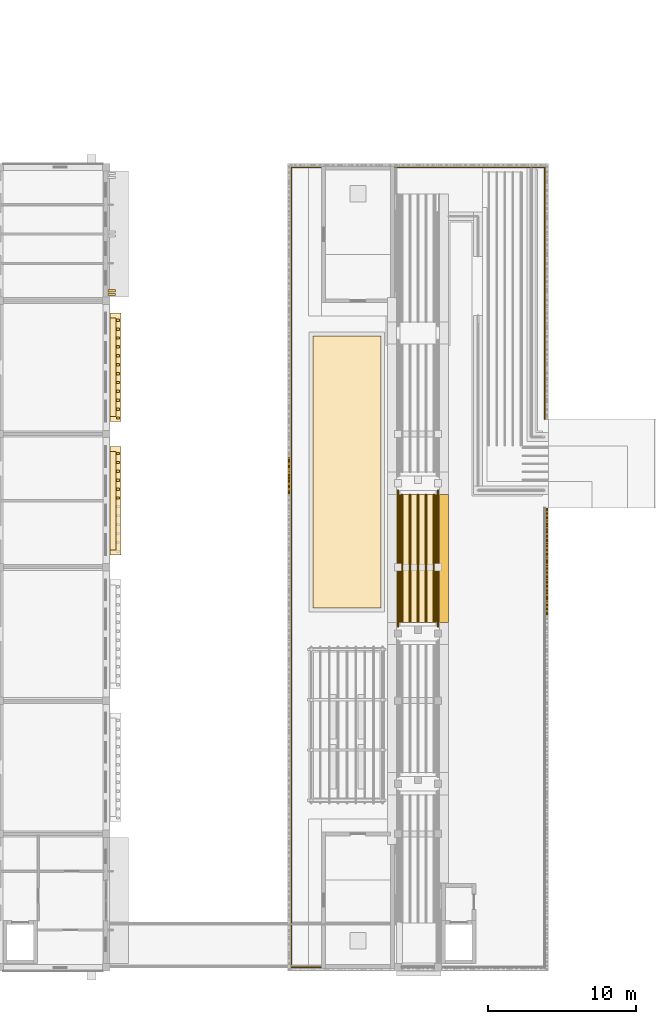
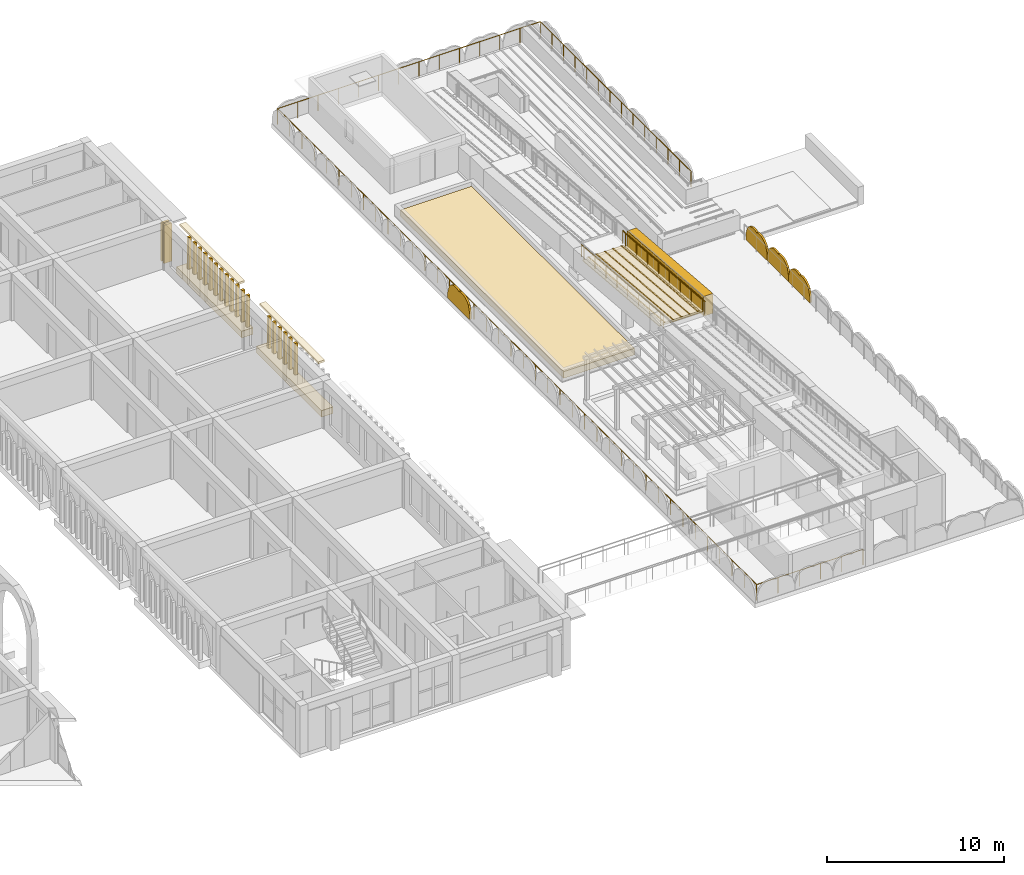
# One storey, part 66 of 70: 33 coverings, 4 shading devices, 3 railings.
"""IFC4 building model written with IfcOpenShell, lengths in metres."""

import ifcopenshell
import ifcopenshell.guid

model = None  # the IFC model being written
_history = None  # IfcOwnerHistory: only IFC2X3 demands one
_inside = {}  # id of a spatial element -> (the spatial element, [elements in it])
_under = {}  # id of a project, library or spatial element -> (it, [spatial elements below it])
_declared = {}  # id of a project -> (the project, [libraries it declares])
_typed = {}  # id of a type object -> (the type object, [elements of that type])
_made_of = {}  # id of a material, layer set ... -> (it, [elements and type objects made of it])


def new_model(schema):
    """Start an empty IFC model of exactly this schema.

    Asked for "IFC4X3", IfcOpenShell would pick the latest addendum, in which some entities
    have other attributes; the version numbers below select the first issue.
    IFC2X3 requires an IfcOwnerHistory on every rooted entity: one is made here for all.
    """
    global model, _history
    if schema == "IFC4X3":
        model = ifcopenshell.file(schema_version=(4, 3, 0, 0))
    else:
        model = ifcopenshell.file(schema=schema)
    _inside.clear()
    _under.clear()
    _declared.clear()
    _typed.clear()
    _made_of.clear()
    _history = None
    if model.schema == "IFC2X3":
        org = make("IfcOrganization", Name="unknown")
        user = make(
            "IfcPersonAndOrganization",
            ThePerson=make("IfcPerson", FamilyName="unknown"),
            TheOrganization=org,
        )
        app = make(
            "IfcApplication",
            ApplicationDeveloper=org,
            Version="unknown",
            ApplicationFullName="unknown",
            ApplicationIdentifier="unknown",
        )
        _history = make(
            "IfcOwnerHistory",
            OwningUser=user,
            OwningApplication=app,
            ChangeAction="ADDED",
            CreationDate=0,
        )
    return model


def make(cls, **values):
    """One entity of the class cls with the attributes given. An attribute that is None is left unset."""
    return model.create_entity(
        cls, **{name: value for name, value in values.items() if value is not None}
    )


def rooted(cls, **values):
    """An entity with a GlobalId (a new one), such as an element, a storey or a relation."""
    return make(cls, GlobalId=ifcopenshell.guid.new(), OwnerHistory=_history, **values)


def si_unit(unit_type, name, prefix=None):
    """IfcSIUnit, for example si_unit("LENGTHUNIT", "METRE", prefix="MILLI")."""
    return make("IfcSIUnit", UnitType=unit_type, Prefix=prefix, Name=name)


def assignment(units):
    """IfcUnitAssignment: the units of a project."""
    return None if units is None else make("IfcUnitAssignment", Units=units)


def point(xyz):
    """IfcCartesianPoint."""
    return None if xyz is None else make("IfcCartesianPoint", Coordinates=xyz)


def direction(xyz):
    """IfcDirection."""
    return None if xyz is None else make("IfcDirection", DirectionRatios=xyz)


def frame(location, z_axis=None, x_axis=None):
    """IfcAxis2Placement3D, a coordinate frame: its origin and axes. An axis left out is left unset."""
    return make(
        "IfcAxis2Placement3D",
        Location=point(location),
        Axis=direction(z_axis),
        RefDirection=direction(x_axis),
    )


def frame_2d(location, x_axis=None):
    """IfcAxis2Placement2D, a coordinate frame in the plane: its origin and x axis."""
    return make(
        "IfcAxis2Placement2D", Location=point(location), RefDirection=direction(x_axis)
    )


def origin():
    """The frame at (0, 0, 0) with its axes left unset."""
    return frame((0.0, 0.0, 0.0))


def origin_2d():
    """The frame at (0, 0) in the plane with its x axis left unset."""
    return frame_2d((0.0, 0.0))


def place(relative_to, where):
    """IfcLocalPlacement: puts the frame where relative to a parent placement (None: the world)."""
    return make(
        "IfcLocalPlacement", PlacementRelTo=relative_to, RelativePlacement=where
    )


def context(
    kind, dimensions, precision=None, world=None, true_north=None, identifier=None
):
    """IfcGeometricRepresentationContext, for example the 3D "Model" context."""
    return make(
        "IfcGeometricRepresentationContext",
        ContextIdentifier=identifier,
        ContextType=kind,
        CoordinateSpaceDimension=dimensions,
        Precision=precision,
        WorldCoordinateSystem=world,
        TrueNorth=true_north,
    )


def subcontext(parent, identifier, kind, view, scale=None):
    """IfcGeometricRepresentationSubContext, for example "Body" below "Model"."""
    return make(
        "IfcGeometricRepresentationSubContext",
        ContextIdentifier=identifier,
        ContextType=kind,
        ParentContext=parent,
        TargetScale=scale,
        TargetView=view,
    )


def project(units=None, contexts=None):
    """IfcProject with its units and contexts."""
    return rooted(
        "IfcProject",
        Name="project",
        RepresentationContexts=contexts,
        UnitsInContext=assignment(units),
    )


def spatial(cls, under=None, at=None, **own):
    """A site, building, storey or space (cls), placed at a placement, below another one or the project."""
    s = rooted(cls, ObjectPlacement=at, **own)
    if under is not None:
        _under.setdefault(under.id(), (under, []))[1].append(s)
    return s


def polyline(points):
    """IfcPolyline through the points."""
    return make("IfcPolyline", Points=[point(p) for p in points])


def profile(cls, at=None, kind="AREA", **sizes):
    """A parametric profile (cls). Its sizes go by their IFC names, for example OverallWidth=200.0."""
    return make(cls, ProfileType=kind, Position=at, **sizes)


def rectangle(**sizes):
    """IfcRectangleProfileDef."""
    return profile("IfcRectangleProfileDef", **sizes)


def circle(**sizes):
    """IfcCircleProfileDef."""
    return profile("IfcCircleProfileDef", **sizes)


def outline(outer, holes=None, kind="AREA"):
    """IfcArbitraryClosedProfileDef: a profile drawn as a closed curve; with holes, ...WithVoids."""
    if holes is None:
        return make("IfcArbitraryClosedProfileDef", ProfileType=kind, OuterCurve=outer)
    return make(
        "IfcArbitraryProfileDefWithVoids",
        ProfileType=kind,
        OuterCurve=outer,
        InnerCurves=holes,
    )


def extrude(swept, where, along, depth):
    """IfcExtrudedAreaSolid: the profile swept, set in the frame where, extruded along a direction by depth."""
    return make(
        "IfcExtrudedAreaSolid",
        SweptArea=swept,
        Position=where,
        ExtrudedDirection=direction(along),
        Depth=depth,
    )


def shape(context_of_items, identifier, shape_type, items):
    """IfcShapeRepresentation: the items that make up one representation, for example the "Body"."""
    return make(
        "IfcShapeRepresentation",
        ContextOfItems=context_of_items,
        RepresentationIdentifier=identifier,
        RepresentationType=shape_type,
        Items=items,
    )


def material(Name=None, Category=None):
    """IfcMaterial."""
    return make("IfcMaterial", Name=Name, Category=Category)


def layer(
    of_material, thickness, ventilated=None, Name=None, Category=None, Priority=None
):
    """IfcMaterialLayer: one layer of a wall or slab, of a material (None: an air gap)."""
    return make(
        "IfcMaterialLayer",
        Material=of_material,
        LayerThickness=thickness,
        IsVentilated=ventilated,
        Name=Name,
        Category=Category,
        Priority=Priority,
    )


def layer_set(layers, Name=None):
    """IfcMaterialLayerSet."""
    return make("IfcMaterialLayerSet", MaterialLayers=layers, LayerSetName=Name)


def made_of(thing, what):
    """Note that an element or type object is made of a material, layer set ...; save() writes the relation."""
    if what is not None:
        _made_of.setdefault(what.id(), (what, []))[1].append(thing)
    return thing


def type_object(cls, material=None, **own):
    """A type object (cls), such as IfcWallType, which elements share."""
    return made_of(rooted(cls, **own), material)


def element(
    cls,
    number,
    at=None,
    inside=None,
    cuts=None,
    type_object=None,
    material=None,
    context=None,
    identifier="Body",
    shape_type=None,
    held_by="IfcProductDefinitionShape",
    body=None,
    shapes=None,
    **own,
):
    """One element of the class cls, such as IfcWall. Its Tag is "e" and its number.

    at: its placement. inside: the storey or other place that contains it. cuts: it is an
    opening in that element (IfcRelVoidsElement). A single representation is given by context,
    identifier, shape_type and body (its items); several are given by shapes. held_by: the class
    of the entity that holds the representations. save() writes the other relations.
    """
    e = rooted(cls, Tag="e%d" % number, ObjectPlacement=at, **own)
    if body is not None:
        shapes = [shape(context, identifier, shape_type, body)]
    if shapes is not None:
        e.Representation = make(held_by, Representations=shapes)
    if inside is not None:
        _inside.setdefault(inside.id(), (inside, []))[1].append(e)
    if cuts is not None:
        rooted(
            "IfcRelVoidsElement", RelatingBuildingElement=cuts, RelatedOpeningElement=e
        )
    if type_object is not None:
        _typed.setdefault(type_object.id(), (type_object, []))[1].append(e)
    return made_of(e, material)


def aggregate(whole, parts):
    """IfcRelAggregates: a whole, such as a stair, and the parts it consists of."""
    return rooted("IfcRelAggregates", RelatingObject=whole, RelatedObjects=parts)


def save(model, path):
    """Write the relations noted so far, then the file.

    IfcRelAggregates (storeys below a building ...), IfcRelContainedInSpatialStructure (elements
    in a storey), IfcRelDefinesByType, IfcRelAssociatesMaterial and IfcRelDeclares: one each for
    every whole, place, type object, material and project.
    """
    for whole, parts in _under.values():
        aggregate(whole, parts)
    for where, things in _inside.values():
        rooted(
            "IfcRelContainedInSpatialStructure",
            RelatedElements=things,
            RelatingStructure=where,
        )
    for kind, things in _typed.values():
        rooted("IfcRelDefinesByType", RelatedObjects=things, RelatingType=kind)
    for what, things in _made_of.values():
        rooted("IfcRelAssociatesMaterial", RelatedObjects=things, RelatingMaterial=what)
    for by, libraries in _declared.values():
        rooted("IfcRelDeclares", RelatingContext=by, RelatedDefinitions=libraries)
    model.write(path)


model = new_model("IFC4")

# Units and contexts
model_context = context("Model", 3, precision=1e-05, world=origin(), true_north=direction((0.0, 1.0)))
body_context = subcontext(model_context, "Body", "Model", "MODEL_VIEW")
ifc_project = project(units=[si_unit("LENGTHUNIT", "METRE"), si_unit("AREAUNIT", "SQUARE_METRE"), si_unit("VOLUMEUNIT", "CUBIC_METRE"), si_unit("PLANEANGLEUNIT", "RADIAN"), si_unit("MASSUNIT", "GRAM", prefix="KILO")], contexts=[model_context])

# Site, building, storey
site_placement = place(None, origin())
site = spatial("IfcSite", under=ifc_project, at=site_placement, CompositionType="ELEMENT")
building_placement = place(site_placement, origin())
building = spatial("IfcBuilding", under=site, at=building_placement, Name="Elbe Cascade School", CompositionType="ELEMENT")
storey_placement = place(building_placement, frame((0.0, 0.0, 8.10009765625)))
storey = spatial("IfcBuildingStorey", under=building, at=storey_placement, Name="L02", CompositionType="ELEMENT", Elevation=8.10009765625)

# Shading devices
ifc_material_1 = material(Name="Precast concrete C40/50", Category="concrete")
ifc_layer_1 = layer(ifc_material_1, 0.1201171875)
ifc_layer_set_1 = layer_set([ifc_layer_1], Name="Precast concrete C40/50")
shading_device_type = type_object("IfcShadingDeviceType", Name="Bars envelope Attic jali screen, pointed arch top, pierced precast concrete, 1200 high", PredefinedType="USERDEFINED", material=ifc_layer_set_1)
shading_device_1_placement = place(storey_placement, frame((157.580078125, 37.95458984375, 0.39990234375), z_axis=(-1.0, 0.0, 0.0), x_axis=(0.0, 0.296914729778, 0.954903996871)))
element("IfcShadingDevice", 1, at=shading_device_1_placement, inside=storey, type_object=shading_device_type, Name="Attic jali screen SD1 D.L02.w14", ObjectType="JALI", PredefinedType="USERDEFINED", context=body_context, shape_type="SweptSolid", body=[
    extrude(outline(polyline([(0.0, 0.0), (0.5213118135497831, 2.7755575615628914e-17), (0.730927669136395, 0.09691772307437502), (0.8773650620393721, 0.21347995097534359), (0.9849420905019789, 0.3423809640007578), (1.0621396183974305, 0.48047240936850977), (1.1125270975525943, 0.6269000837217165), (1.1363376588260814, 0.7815914981126785), (1.1317062553490027, 0.9451265641229927), (1.2282536445091836, 1.0772014268316772), (1.2963590689187985, 1.218119941159714), (1.3379600643944363, 1.3675353263841168), (1.3526785221820867, 1.5250538097353636), (1.3370899683502817, 1.6919958562875592), (1.282641050078106, 1.8712766879642004), (1.1649411801745964, 2.069968893608824), (0.7355453523079154, 2.365578822327823), (0.3536770059027736, 2.4843157186597797), (-0.3818683464051418, 0.11873689633195678), (0.0, 0.0)])), origin(), (0.0, 0.0, -1.0), 0.1201171875),
])
shading_device_2_placement = place(storey_placement, frame((175.1201171875, 29.78857421875, 0.0), z_axis=(1.0, 0.0, 0.0), x_axis=(0.0, 1.0, 0.0)))
element("IfcShadingDevice", 2, at=shading_device_2_placement, inside=storey, type_object=shading_device_type, Name="Attic jali screen SD1 D.L02.e11", ObjectType="JALI", PredefinedType="USERDEFINED", context=body_context, shape_type="SweptSolid", body=[
    extrude(outline(polyline([(0.0, 0.0), (2.40380859375, 0.0), (2.40380859375, 0.39990234375), (2.25341796875, 0.8876953125), (2.103271484375, 1.056396484375), (1.953125, 1.160400390625), (1.802734375, 1.22509765625), (1.652587890625, 1.25927734375), (1.50244140625, 1.266357421875), (1.35205078125, 1.247314453125), (1.201904296875, 1.199951171875), (1.051513671875, 1.247314453125), (0.9013671875, 1.266357421875), (0.751220703125, 1.25927734375), (0.600830078125, 1.22509765625), (0.45068359375, 1.160400390625), (0.30029296875, 1.056396484375), (0.150146484375, 0.8876953125), (0.0, 0.39990234375), (0.0, 0.0)])), origin(), (0.0, 0.0, -1.0), 0.1201171875),
])
shading_device_3_placement = place(storey_placement, frame((175.1201171875, 32.1923828125, 0.0), z_axis=(1.0, 0.0, 0.0), x_axis=(0.0, 1.0, 0.0)))
element("IfcShadingDevice", 3, at=shading_device_3_placement, inside=storey, type_object=shading_device_type, Name="Attic jali screen SD1 D.L02.e12", ObjectType="JALI", PredefinedType="USERDEFINED", context=body_context, shape_type="SweptSolid", body=[
    extrude(outline(polyline([(0.0, 0.0), (2.40380859375, 0.0), (2.40380859375, 0.39990234375), (2.25341796875, 0.8876953125), (2.103271484375, 1.056396484375), (1.953125, 1.160400390625), (1.802734375, 1.22509765625), (1.652587890625, 1.25927734375), (1.502197265625, 1.266357421875), (1.35205078125, 1.247314453125), (1.201904296875, 1.199951171875), (1.051513671875, 1.247314453125), (0.9013671875, 1.266357421875), (0.751220703125, 1.25927734375), (0.600830078125, 1.22509765625), (0.45068359375, 1.160400390625), (0.300537109375, 1.056396484375), (0.150146484375, 0.8876953125), (0.0, 0.39990234375), (0.0, 0.0)])), origin(), (0.0, 0.0, -1.0), 0.1201171875),
])
shading_device_4_placement = place(storey_placement, frame((175.1201171875, 34.59619140625, 0.0), z_axis=(1.0, 0.0, 0.0), x_axis=(0.0, 1.0, 0.0)))
element("IfcShadingDevice", 4, at=shading_device_4_placement, inside=storey, type_object=shading_device_type, Name="Attic jali screen SD1 D.L02.e13", ObjectType="JALI", PredefinedType="USERDEFINED", context=body_context, shape_type="SweptSolid", body=[
    extrude(outline(polyline([(0.0, 0.0), (2.40380859375, 0.0), (2.40380859375, 0.39990234375), (2.253662109375, 0.8876953125), (2.103271484375, 1.056396484375), (1.953125, 1.160400390625), (1.802734375, 1.22509765625), (1.652587890625, 1.25927734375), (1.50244140625, 1.266357421875), (1.35205078125, 1.247314453125), (1.201904296875, 1.199951171875), (1.051513671875, 1.247314453125), (0.9013671875, 1.266357421875), (0.751220703125, 1.25927734375), (0.600830078125, 1.22509765625), (0.45068359375, 1.160400390625), (0.30029296875, 1.056396484375), (0.150146484375, 0.8876953125), (0.0, 0.39990234375), (0.0, 0.0)])), origin(), (0.0, 0.0, -1.0), 0.1201171875),
])

# Coverings
ifc_material_2 = material(Name="Precast concrete C40/50", Category="concrete")
covering_type_1 = type_object("IfcCoveringType", Name="Bars envelope Precast concrete fin, 140 wide, 500 deep", PredefinedType="CLADDING", material=ifc_material_2)
for number, where, z_axis, x_axis, name in (
    (5, (145.669921875, 51.409912109375, 0.0), (0.0, 0.0, 1.0), (0.0, 1.0, 0.0), "Fin CV62 C.L02.e6.1"),
    (6, (145.669921875, 51.669921875, 0.0), (0.0, 0.0, 1.0), (0.0, 1.0, 0.0), "Fin CV62 C.L02.e6.2"),
):
    element("IfcCovering", number, at=place(storey_placement, frame(where, z_axis=z_axis, x_axis=x_axis)), inside=storey, type_object=covering_type_1, Name=name, PredefinedType="CLADDING", context=body_context, shape_type="SweptSolid", body=[
        extrude(rectangle(XDim=0.139892578125, YDim=0.5, at=origin_2d()), origin(), (0.0, 0.0, 1.0), 2.6298828125),
    ])

# Railing
ifc_material_3 = material(Name="Steel S355J2H, hot-dip galvanised", Category="steel")
railing_type_1 = type_object("IfcRailingType", Name="Bars envelope Roof edge guard 1100, galvanised steel", PredefinedType="GUARDRAIL", material=ifc_material_3)
railing_1_placement = place(storey_placement, frame((174.89990234375, 43.0, 0.0)))
element("IfcRailing", 7, at=railing_1_placement, inside=storey, type_object=railing_type_1, Name="Roof edge guard RL10 D.L02.3", PredefinedType="GUARDRAIL", context=body_context, shape_type="SweptSolid", body=[
    extrude(circle(Radius=0.02392578125, at=origin_2d()), frame((0.0, 0.0, 1.076171875), z_axis=(0.0, 1.0, 0.0), x_axis=(-1.0, 0.0, 0.0)), (0.0, 0.0, 1.0), 17.0),
    extrude(circle(Radius=0.02392578125, at=origin_2d()), frame((0.0, 17.0, 1.076171875), z_axis=(-1.0, 0.0, 0.0), x_axis=(0.0, -1.0, 0.0)), (0.0, 0.0, 1.0), 17.099853515625),
    extrude(circle(Radius=0.02392578125, at=origin_2d()), frame((-17.099853515625, 17.0, 1.076171875), z_axis=(0.0, -1.0, 0.0), x_axis=(1.0, 0.0, 0.0)), (0.0, 0.0, 1.0), 54.0),
    extrude(circle(Radius=0.02392578125, at=origin_2d()), frame((-17.099853515625, -37.0, 1.076171875), z_axis=(1.0, 0.0, 0.0), x_axis=(0.0, 1.0, 0.0)), (0.0, 0.0, 1.0), 6.928955078125),
    extrude(circle(Radius=0.02099609375, at=origin_2d()), origin(), (0.0, 0.0, 1.0), 1.052001953125),
    extrude(circle(Radius=0.02099609375, at=origin_2d()), frame((0.0, 1.3076171875, 0.0)), (0.0, 0.0, 1.0), 1.052001953125),
    extrude(circle(Radius=0.02099609375, at=origin_2d()), frame((0.0, 2.615478515625, 0.0)), (0.0, 0.0, 1.0), 1.052001953125),
    extrude(circle(Radius=0.02099609375, at=origin_2d()), frame((0.0, 3.923095703125, 0.0)), (0.0, 0.0, 1.0), 1.052001953125),
    extrude(circle(Radius=0.02099609375, at=origin_2d()), frame((0.0, 5.230712890625, 0.0)), (0.0, 0.0, 1.0), 1.052001953125),
    extrude(circle(Radius=0.02099609375, at=origin_2d()), frame((0.0, 6.53857421875, 0.0)), (0.0, 0.0, 1.0), 1.052001953125),
    extrude(circle(Radius=0.02099609375, at=origin_2d()), frame((0.0, 7.84619140625, 0.0)), (0.0, 0.0, 1.0), 1.052001953125),
    extrude(circle(Radius=0.02099609375, at=origin_2d()), frame((0.0, 9.15380859375, 0.0)), (0.0, 0.0, 1.0), 1.052001953125),
    extrude(circle(Radius=0.02099609375, at=origin_2d()), frame((0.0, 10.46142578125, 0.0)), (0.0, 0.0, 1.0), 1.052001953125),
    extrude(circle(Radius=0.02099609375, at=origin_2d()), frame((0.0, 11.769287109375, 0.0)), (0.0, 0.0, 1.0), 1.052001953125),
    extrude(circle(Radius=0.02099609375, at=origin_2d()), frame((0.0, 13.076904296875, 0.0)), (0.0, 0.0, 1.0), 1.052001953125),
    extrude(circle(Radius=0.02099609375, at=origin_2d()), frame((0.0, 14.384521484375, 0.0)), (0.0, 0.0, 1.0), 1.052001953125),
    extrude(circle(Radius=0.02099609375, at=origin_2d()), frame((0.0, 15.6923828125, 0.0)), (0.0, 0.0, 1.0), 1.052001953125),
    extrude(circle(Radius=0.02099609375, at=origin_2d()), frame((0.0, 17.0, 0.0)), (0.0, 0.0, 1.0), 1.052001953125),
    extrude(circle(Radius=0.02099609375, at=origin_2d()), frame((-1.3154296875, 17.0, 0.0)), (0.0, 0.0, 1.0), 1.052001953125),
    extrude(circle(Radius=0.02099609375, at=origin_2d()), frame((-2.630859375, 17.0, 0.0)), (0.0, 0.0, 1.0), 1.052001953125),
    extrude(circle(Radius=0.02099609375, at=origin_2d()), frame((-3.946044921875, 17.0, 0.0)), (0.0, 0.0, 1.0), 1.052001953125),
    extrude(circle(Radius=0.02099609375, at=origin_2d()), frame((-5.261474609375, 17.0, 0.0)), (0.0, 0.0, 1.0), 1.052001953125),
    extrude(circle(Radius=0.02099609375, at=origin_2d()), frame((-6.576904296875, 17.0, 0.0)), (0.0, 0.0, 1.0), 1.052001953125),
    extrude(circle(Radius=0.02099609375, at=origin_2d()), frame((-7.892333984375, 17.0, 0.0)), (0.0, 0.0, 1.0), 1.052001953125),
    extrude(circle(Radius=0.02099609375, at=origin_2d()), frame((-9.20751953125, 17.0, 0.0)), (0.0, 0.0, 1.0), 1.052001953125),
    extrude(circle(Radius=0.02099609375, at=origin_2d()), frame((-10.52294921875, 17.0, 0.0)), (0.0, 0.0, 1.0), 1.052001953125),
    extrude(circle(Radius=0.02099609375, at=origin_2d()), frame((-11.83837890625, 17.0, 0.0)), (0.0, 0.0, 1.0), 1.052001953125),
    extrude(circle(Radius=0.02099609375, at=origin_2d()), frame((-13.15380859375, 17.0, 0.0)), (0.0, 0.0, 1.0), 1.052001953125),
    extrude(circle(Radius=0.02099609375, at=origin_2d()), frame((-14.468994140625, 17.0, 0.0)), (0.0, 0.0, 1.0), 1.052001953125),
    extrude(circle(Radius=0.02099609375, at=origin_2d()), frame((-15.784423828125, 17.0, 0.0)), (0.0, 0.0, 1.0), 1.052001953125),
    extrude(circle(Radius=0.02099609375, at=origin_2d()), frame((-17.099853515625, 17.0, 0.0)), (0.0, 0.0, 1.0), 1.052001953125),
    extrude(circle(Radius=0.02099609375, at=origin_2d()), frame((-17.099853515625, 15.615478515625, 0.0)), (0.0, 0.0, 1.0), 1.052001953125),
    extrude(circle(Radius=0.02099609375, at=origin_2d()), frame((-17.099853515625, 14.230712890625, 0.0)), (0.0, 0.0, 1.0), 1.052001953125),
    extrude(circle(Radius=0.02099609375, at=origin_2d()), frame((-17.099853515625, 12.84619140625, 0.0)), (0.0, 0.0, 1.0), 1.052001953125),
    extrude(circle(Radius=0.02099609375, at=origin_2d()), frame((-17.099853515625, 11.46142578125, 0.0)), (0.0, 0.0, 1.0), 1.052001953125),
    extrude(circle(Radius=0.02099609375, at=origin_2d()), frame((-17.099853515625, 10.076904296875, 0.0)), (0.0, 0.0, 1.0), 1.052001953125),
    extrude(circle(Radius=0.02099609375, at=origin_2d()), frame((-17.099853515625, 8.6923828125, 0.0)), (0.0, 0.0, 1.0), 1.052001953125),
    extrude(circle(Radius=0.02099609375, at=origin_2d()), frame((-17.099853515625, 7.3076171875, 0.0)), (0.0, 0.0, 1.0), 1.052001953125),
    extrude(circle(Radius=0.02099609375, at=origin_2d()), frame((-17.099853515625, 5.923095703125, 0.0)), (0.0, 0.0, 1.0), 1.052001953125),
    extrude(circle(Radius=0.02099609375, at=origin_2d()), frame((-17.099853515625, 4.53857421875, 0.0)), (0.0, 0.0, 1.0), 1.052001953125),
    extrude(circle(Radius=0.02099609375, at=origin_2d()), frame((-17.099853515625, 3.15380859375, 0.0)), (0.0, 0.0, 1.0), 1.052001953125),
    extrude(circle(Radius=0.02099609375, at=origin_2d()), frame((-17.099853515625, 1.769287109375, 0.0)), (0.0, 0.0, 1.0), 1.052001953125),
    extrude(circle(Radius=0.02099609375, at=origin_2d()), frame((-17.099853515625, 0.384521484375, 0.0)), (0.0, 0.0, 1.0), 1.052001953125),
    extrude(circle(Radius=0.02099609375, at=origin_2d()), frame((-17.099853515625, -1.0, 0.0)), (0.0, 0.0, 1.0), 1.052001953125),
    extrude(circle(Radius=0.02099609375, at=origin_2d()), frame((-17.099853515625, -2.384521484375, 0.0)), (0.0, 0.0, 1.0), 1.052001953125),
    extrude(circle(Radius=0.02099609375, at=origin_2d()), frame((-17.099853515625, -3.769287109375, 0.0)), (0.0, 0.0, 1.0), 1.052001953125),
    extrude(circle(Radius=0.02099609375, at=origin_2d()), frame((-17.099853515625, -5.15380859375, 0.0)), (0.0, 0.0, 1.0), 1.052001953125),
    extrude(circle(Radius=0.02099609375, at=origin_2d()), frame((-17.099853515625, -6.53857421875, 0.0)), (0.0, 0.0, 1.0), 1.052001953125),
    extrude(circle(Radius=0.02099609375, at=origin_2d()), frame((-17.099853515625, -7.923095703125, 0.0)), (0.0, 0.0, 1.0), 1.052001953125),
    extrude(circle(Radius=0.02099609375, at=origin_2d()), frame((-17.099853515625, -9.3076171875, 0.0)), (0.0, 0.0, 1.0), 1.052001953125),
    extrude(circle(Radius=0.02099609375, at=origin_2d()), frame((-17.099853515625, -10.6923828125, 0.0)), (0.0, 0.0, 1.0), 1.052001953125),
    extrude(circle(Radius=0.02099609375, at=origin_2d()), frame((-17.099853515625, -12.076904296875, 0.0)), (0.0, 0.0, 1.0), 1.052001953125),
    extrude(circle(Radius=0.02099609375, at=origin_2d()), frame((-17.099853515625, -13.46142578125, 0.0)), (0.0, 0.0, 1.0), 1.052001953125),
    extrude(circle(Radius=0.02099609375, at=origin_2d()), frame((-17.099853515625, -14.84619140625, 0.0)), (0.0, 0.0, 1.0), 1.052001953125),
    extrude(circle(Radius=0.02099609375, at=origin_2d()), frame((-17.099853515625, -16.230712890625, 0.0)), (0.0, 0.0, 1.0), 1.052001953125),
    extrude(circle(Radius=0.02099609375, at=origin_2d()), frame((-17.099853515625, -17.615478515625, 0.0)), (0.0, 0.0, 1.0), 1.052001953125),
    extrude(circle(Radius=0.02099609375, at=origin_2d()), frame((-17.099853515625, -19.0, 0.0)), (0.0, 0.0, 1.0), 1.052001953125),
    extrude(circle(Radius=0.02099609375, at=origin_2d()), frame((-17.099853515625, -20.384521484375, 0.0)), (0.0, 0.0, 1.0), 1.052001953125),
    extrude(circle(Radius=0.02099609375, at=origin_2d()), frame((-17.099853515625, -21.769287109375, 0.0)), (0.0, 0.0, 1.0), 1.052001953125),
    extrude(circle(Radius=0.02099609375, at=origin_2d()), frame((-17.099853515625, -23.15380859375, 0.0)), (0.0, 0.0, 1.0), 1.052001953125),
    extrude(circle(Radius=0.02099609375, at=origin_2d()), frame((-17.099853515625, -24.53857421875, 0.0)), (0.0, 0.0, 1.0), 1.052001953125),
    extrude(circle(Radius=0.02099609375, at=origin_2d()), frame((-17.099853515625, -25.923095703125, 0.0)), (0.0, 0.0, 1.0), 1.052001953125),
    extrude(circle(Radius=0.02099609375, at=origin_2d()), frame((-17.099853515625, -27.3076171875, 0.0)), (0.0, 0.0, 1.0), 1.052001953125),
    extrude(circle(Radius=0.02099609375, at=origin_2d()), frame((-17.099853515625, -28.6923828125, 0.0)), (0.0, 0.0, 1.0), 1.052001953125),
    extrude(circle(Radius=0.02099609375, at=origin_2d()), frame((-17.099853515625, -30.076904296875, 0.0)), (0.0, 0.0, 1.0), 1.052001953125),
    extrude(circle(Radius=0.02099609375, at=origin_2d()), frame((-17.099853515625, -31.46142578125, 0.0)), (0.0, 0.0, 1.0), 1.052001953125),
    extrude(circle(Radius=0.02099609375, at=origin_2d()), frame((-17.099853515625, -32.84619140625, 0.0)), (0.0, 0.0, 1.0), 1.052001953125),
    extrude(circle(Radius=0.02099609375, at=origin_2d()), frame((-17.099853515625, -34.230712890625, 0.0)), (0.0, 0.0, 1.0), 1.052001953125),
    extrude(circle(Radius=0.02099609375, at=origin_2d()), frame((-17.099853515625, -35.615478515625, 0.0)), (0.0, 0.0, 1.0), 1.052001953125),
    extrude(circle(Radius=0.02099609375, at=origin_2d()), frame((-17.099853515625, -37.0, 0.0)), (0.0, 0.0, 1.0), 1.052001953125),
    extrude(circle(Radius=0.02099609375, at=origin_2d()), frame((-15.714111328125, -37.0, 0.0)), (0.0, 0.0, 1.0), 1.052001953125),
    extrude(circle(Radius=0.02099609375, at=origin_2d()), frame((-14.328369140625, -37.0, 0.0)), (0.0, 0.0, 1.0), 1.052001953125),
    extrude(circle(Radius=0.02099609375, at=origin_2d()), frame((-12.9423828125, -37.0, 0.0)), (0.0, 0.0, 1.0), 1.052001953125),
    extrude(circle(Radius=0.02099609375, at=origin_2d()), frame((-11.556640625, -37.0, 0.0)), (0.0, 0.0, 1.0), 1.052001953125),
    extrude(circle(Radius=0.02099609375, at=origin_2d()), frame((-10.1708984375, -37.0, 0.0)), (0.0, 0.0, 1.0), 1.052001953125),
])

# Coverings
ifc_material_4 = material(Name="Sandstone - red", Category="masonry")
covering_type_2 = type_object("IfcCoveringType", Name="Bars envelope Sandstone floor ledge, 400 deep", PredefinedType="CLADDING", material=ifc_material_4)
for number, where, z_axis, x_axis, name in (
    (8, (145.75, 37.5, 3.4599609375), (0.0, 0.0, 1.0), (0.0, 1.0, 0.0), "Floor ledge CV64 C.L02.e3.1"),
    (9, (145.75, 46.5, 3.4599609375), (0.0, 0.0, 1.0), (0.0, 1.0, 0.0), "Floor ledge CV64 C.L02.e4.1"),
):
    element("IfcCovering", number, at=place(storey_placement, frame(where, z_axis=z_axis, x_axis=x_axis)), inside=storey, type_object=covering_type_2, Name=name, PredefinedType="CLADDING", context=body_context, shape_type="SweptSolid", body=[
        extrude(rectangle(XDim=6.639892578125, YDim=0.39990234375, at=origin_2d()), origin(), (0.0, 0.0, 1.0), 0.139892578125),
    ])
ifc_material_5 = material(Name="Sandstone - red", Category="masonry")
covering_type_3 = type_object("IfcCoveringType", Name="Bars envelope Sandstone planter kerb, 750 deep", PredefinedType="CLADDING", material=ifc_material_5)
for number, where, z_axis, x_axis, name in (
    (10, (145.925048828125, 37.5, 0.0), (0.0, 0.0, 1.0), (0.0, 1.0, 0.0), "Planter kerb CV65 C.L02.e3.1"),
    (11, (145.925048828125, 46.5, 0.0), (0.0, 0.0, 1.0), (0.0, 1.0, 0.0), "Planter kerb CV65 C.L02.e4.1"),
):
    element("IfcCovering", number, at=place(storey_placement, frame(where, z_axis=z_axis, x_axis=x_axis)), inside=storey, type_object=covering_type_3, Name=name, PredefinedType="CLADDING", context=body_context, shape_type="SweptSolid", body=[
        extrude(rectangle(XDim=7.340087890625, YDim=0.75, at=origin_2d()), origin(), (0.0, 0.0, 1.0), 0.449951171875),
    ])
ifc_material_6 = material(Name="Sandstone - red", Category="masonry")
covering_type_4 = type_object("IfcCoveringType", Name="Bars envelope Sandstone slat, 160 wide, 200 deep", PredefinedType="CLADDING", material=ifc_material_6)
for number, where, z_axis, x_axis, name in (
    (12, (146.10009765625, 37.679931640625, 0.44970703125), (0.0, 0.0, 1.0), (0.0, 1.0, 0.0), "Slat CV66 C.L02.e3.1.7"),
    (13, (146.10009765625, 38.280029296875, 0.44970703125), (0.0, 0.0, 1.0), (0.0, 1.0, 0.0), "Slat CV66 C.L02.e3.1.8"),
    (14, (146.10009765625, 38.8798828125, 0.44970703125), (0.0, 0.0, 1.0), (0.0, 1.0, 0.0), "Slat CV66 C.L02.e3.1.9"),
    (15, (146.10009765625, 39.47998046875, 0.44970703125), (0.0, 0.0, 1.0), (0.0, 1.0, 0.0), "Slat CV66 C.L02.e3.1.10"),
    (16, (146.10009765625, 40.080078125, 0.44970703125), (0.0, 0.0, 1.0), (0.0, 1.0, 0.0), "Slat CV66 C.L02.e3.1.11"),
    (17, (146.10009765625, 40.679931640625, 0.44970703125), (0.0, 0.0, 1.0), (0.0, 1.0, 0.0), "Slat CV66 C.L02.e3.1.12"),
    (18, (146.10009765625, 43.080078125, 0.44970703125), (0.0, 0.0, 1.0), (0.0, 1.0, 0.0), "Slat CV66 C.L02.e4.1.1"),
    (19, (146.10009765625, 43.679931640625, 0.44970703125), (0.0, 0.0, 1.0), (0.0, 1.0, 0.0), "Slat CV66 C.L02.e4.1.2"),
    (20, (146.10009765625, 44.280029296875, 0.44970703125), (0.0, 0.0, 1.0), (0.0, 1.0, 0.0), "Slat CV66 C.L02.e4.1.3"),
    (21, (146.10009765625, 44.8798828125, 0.44970703125), (0.0, 0.0, 1.0), (0.0, 1.0, 0.0), "Slat CV66 C.L02.e4.1.4"),
    (22, (146.10009765625, 45.47998046875, 0.44970703125), (0.0, 0.0, 1.0), (0.0, 1.0, 0.0), "Slat CV66 C.L02.e4.1.5"),
    (23, (146.10009765625, 46.080078125, 0.44970703125), (0.0, 0.0, 1.0), (0.0, 1.0, 0.0), "Slat CV66 C.L02.e4.1.6"),
    (24, (146.10009765625, 46.679931640625, 0.44970703125), (0.0, 0.0, 1.0), (0.0, 1.0, 0.0), "Slat CV66 C.L02.e4.1.7"),
    (25, (146.10009765625, 47.280029296875, 0.44970703125), (0.0, 0.0, 1.0), (0.0, 1.0, 0.0), "Slat CV66 C.L02.e4.1.8"),
    (26, (146.10009765625, 47.8798828125, 0.44970703125), (0.0, 0.0, 1.0), (0.0, 1.0, 0.0), "Slat CV66 C.L02.e4.1.9"),
    (27, (146.10009765625, 48.47998046875, 0.44970703125), (0.0, 0.0, 1.0), (0.0, 1.0, 0.0), "Slat CV66 C.L02.e4.1.10"),
    (28, (146.10009765625, 49.080078125, 0.44970703125), (0.0, 0.0, 1.0), (0.0, 1.0, 0.0), "Slat CV66 C.L02.e4.1.11"),
    (29, (146.10009765625, 49.679931640625, 0.44970703125), (0.0, 0.0, 1.0), (0.0, 1.0, 0.0), "Slat CV66 C.L02.e4.1.12"),
):
    element("IfcCovering", number, at=place(storey_placement, frame(where, z_axis=z_axis, x_axis=x_axis)), inside=storey, type_object=covering_type_4, Name=name, PredefinedType="CLADDING", context=body_context, shape_type="SweptSolid", body=[
        extrude(rectangle(XDim=0.159912109375, YDim=0.199951171875, at=origin_2d()), origin(), (0.0, 0.0, 1.0), 2.179931640625),
    ])
ifc_material_7 = material(Name="Running track surfacing - white lines", Category="surfacing")
ifc_layer_2 = layer(ifc_material_7, 0.02001953125)
ifc_layer_set_2 = layer_set([ifc_layer_2], Name="Running track surfacing - white lines")
covering_type_5 = type_object("IfcCoveringType", Name="Lane marking 80", PredefinedType="FLOORING", material=ifc_layer_set_2)
for number, where, z_axis, x_axis, name in (
    (30, (165.22998046875, 29.280029296875, 2.39990234375), (0.0, 0.08304314939, 0.996545952447), (0.0, 0.996545952447, -0.08304314939), "Lane marking D ramp flight 3 line 1"),
    (31, (165.77001953125, 29.280029296875, 2.39990234375), (0.0, 0.08304314939, 0.996545952447), (0.0, 0.996545952447, -0.08304314939), "Lane marking D ramp flight 3 line 2"),
):
    element("IfcCovering", number, at=place(storey_placement, frame(where, z_axis=z_axis, x_axis=x_axis)), inside=storey, type_object=covering_type_5, Name=name, PredefinedType="FLOORING", context=body_context, shape_type="SweptSolid", body=[
        extrude(outline(polyline([(0.0, 0.0), (8.669838612967244, 0.0), (8.669838612967244, -0.08007812500000001), (0.0, -0.08007812500000001), (0.0, 0.0)])), origin(), (0.08304314939, 0.0, -0.996545952447), 0.02001953125),
    ])
for number, where, z_axis, x_axis, name in (
    (32, (166.31005859375, 29.280029296875, 2.39990234375), (0.0, 0.08304314939, 0.996545952447), (0.0, 0.996545952447, -0.08304314939), "Lane marking D ramp flight 3 line 3"),
    (33, (166.85009765625, 29.280029296875, 2.39990234375), (0.0, 0.08304314939, 0.996545952447), (0.0, 0.996545952447, -0.08304314939), "Lane marking D ramp flight 3 line 4"),
):
    element("IfcCovering", number, at=place(storey_placement, frame(where, z_axis=z_axis, x_axis=x_axis)), inside=storey, type_object=covering_type_5, Name=name, PredefinedType="FLOORING", context=body_context, shape_type="SweptSolid", body=[
        extrude(outline(polyline([(0.0, 0.0), (8.669838612967244, 0.0), (8.669838612967244, -0.079833984375), (0.0, -0.079833984375), (0.0, 0.0)])), origin(), (0.08304314939, 0.0, -0.996545952447), 0.02001953125),
    ])
covering_1_placement = place(storey_placement, frame((167.389892578125, 29.280029296875, 2.39990234375), z_axis=(0.0, 0.08304314939, 0.996545952447), x_axis=(0.0, 0.996545952447, -0.08304314939)))
element("IfcCovering", 34, at=covering_1_placement, inside=storey, type_object=covering_type_5, Name="Lane marking D ramp flight 3 line 5", PredefinedType="FLOORING", context=body_context, shape_type="SweptSolid", body=[
    extrude(outline(polyline([(0.0, 0.0), (8.669838612967244, 0.0), (8.669838612967244, -0.08007812500000001), (0.0, -0.08007812500000001), (0.0, 0.0)])), origin(), (0.08304314939, 0.0, -0.996545952447), 0.02001953125),
])
ifc_material_8 = material(Name="Concrete C30/37 precast parapet", Category="concrete")
ifc_layer_3 = layer(ifc_material_8, 0.60009765625)
ifc_layer_set_3 = layer_set([ifc_layer_3], Name="Concrete C30/37 precast parapet")
covering_type_6 = type_object("IfcCoveringType", Name="Ramp and bridge parapet 600", PredefinedType="CLADDING", material=ifc_layer_set_3)
covering_2_placement = place(storey_placement, frame((167.800048828125, 29.280029296875, 3.27978515625), z_axis=(0.0, 0.08304314939, 0.996545952447), x_axis=(0.0, 0.996545952447, -0.08304314939)))
element("IfcCovering", 35, at=covering_2_placement, inside=storey, type_object=covering_type_6, Name="Ramp D flight 3 parapet e1", PredefinedType="CLADDING", context=body_context, shape_type="SweptSolid", body=[
    extrude(outline(polyline([(0.0, 0.0), (8.669838612967244, 0.0), (8.669838612967244, -0.599853515625), (0.0, -0.599853515625), (0.0, 0.0)])), origin(), (0.08304314939, 0.0, -0.996545952447), 1.360107421875),
])
ifc_material_9 = material(Name="Planting - soil and shrubs", Category="soil")
ifc_layer_4 = layer(ifc_material_9, 0.449951171875)
ifc_layer_set_4 = layer_set([ifc_layer_4], Name="Planting - soil and shrubs")
covering_type_7 = type_object("IfcCoveringType", Name="Roof planting bed 450", PredefinedType="USERDEFINED", material=ifc_layer_set_4)
covering_3_placement = place(storey_placement, frame((0.0, 0.0, 0.059814453125)))
element("IfcCovering", 36, at=covering_3_placement, inside=storey, type_object=covering_type_7, Name="Planting bed D W2", ObjectType="PLANTING BED", PredefinedType="USERDEFINED", context=body_context, shape_type="SweptSolid", body=[
    extrude(outline(polyline([(163.85009765625, 30.25), (159.25, 30.25), (159.25, 48.625), (163.85009765625, 48.625), (163.85009765625, 43.14990234375), (163.85009765625, 43.14990234375), (163.85009765625, 41.10009765625), (163.85009765625, 39.820068359375), (163.85009765625, 39.820068359375), (163.85009765625, 37.77001953125), (163.85009765625, 34.14990234375), (163.85009765625, 34.14990234375), (163.85009765625, 32.10009765625), (163.85009765625, 30.25)])), origin(), (0.0, 0.0, 1.0), 0.4501953125),
])
ifc_material_10 = material(Name="Running track surfacing - red", Category="surfacing")
ifc_layer_5 = layer(ifc_material_10, 0.10009765625)
ifc_layer_set_5 = layer_set([ifc_layer_5], Name="Running track surfacing - red")
covering_type_8 = type_object("IfcCoveringType", Name="Running track band 100", PredefinedType="USERDEFINED", material=ifc_layer_set_5)
covering_4_placement = place(storey_placement, frame((165.14990234375, 29.280029296875, 2.3798828125), z_axis=(0.0, 0.08304314939, 0.996545952447), x_axis=(0.0, 0.996545952447, -0.08304314939)))
element("IfcCovering", 37, at=covering_4_placement, inside=storey, type_object=covering_type_8, Name="Running track band D ramp flight 3", ObjectType="RUNNING TRACK", PredefinedType="USERDEFINED", context=body_context, shape_type="SweptSolid", body=[
    extrude(outline(polyline([(0.0, 0.0), (8.669838612967244, 0.0), (8.669838612967244, -2.400146484375), (0.0, -2.400146484375), (0.0, 0.0)])), origin(), (0.08304314939, 0.0, -0.996545952447), 0.10009765625),
])
ifc_material_11 = material(Name="Running track surfacing - red", Category="surfacing")
ifc_layer_6 = layer(ifc_material_11, 0.06005859375)
ifc_layer_set_6 = layer_set([ifc_layer_6], Name="Running track surfacing - red")
covering_type_9 = type_object("IfcCoveringType", Name="Running track surfacing 60", PredefinedType="USERDEFINED", material=ifc_layer_set_6)
covering_5_placement = place(storey_placement, frame((164.89990234375, 29.280029296875, 2.27978515625), z_axis=(0.0, 0.08304314939, 0.996545952447), x_axis=(0.0, 0.996545952447, -0.08304314939)))
element("IfcCovering", 38, at=covering_5_placement, inside=storey, type_object=covering_type_9, Name="Running track D ramp flight 3", ObjectType="RUNNING TRACK", PredefinedType="USERDEFINED", context=body_context, shape_type="SweptSolid", body=[
    extrude(outline(polyline([(0.0, 0.0), (8.669838612967244, 0.0), (8.669838612967244, -2.900146484375), (0.0, -2.900146484375), (0.0, 0.0)])), origin(), (0.08304314939, 0.0, -0.996545952447), 0.06005859375),
])

# Railings
ifc_material_12 = material(Name="Steel S355J2H", Category="steel")
railing_type_2 = type_object("IfcRailingType", Name="Track handrail 900", PredefinedType="HANDRAIL", material=ifc_material_12)
railing_2_placement = place(storey_placement, frame((167.699951171875, 28.97998046875, 2.27978515625)))
element("IfcRailing", 39, at=railing_2_placement, inside=storey, type_object=railing_type_2, Name="Track handrail RL5 C-D south and east flight 3", PredefinedType="HANDRAIL", context=body_context, shape_type="SweptSolid", body=[
    extrude(circle(Radius=0.0400390625, at=origin_2d()), frame((0.0, 0.0, 0.85986328125), z_axis=(0.0, 1.0, 0.0), x_axis=(-1.0, 0.0, 0.0)), (0.0, 0.0, 1.0), 0.300048828125),
    extrude(circle(Radius=0.0400390625, at=origin_2d()), frame((0.0, 0.300048828125, 0.85986328125), z_axis=(0.0, 0.996545952447, -0.08304314939), x_axis=(-1.0, 0.0, 0.0)), (0.0, 0.0, 1.0), 8.669921875),
    extrude(circle(Radius=0.0400390625, at=origin_2d()), frame((0.0, 8.93994140625, 0.139892578125), z_axis=(0.0, 1.0, 0.0), x_axis=(-1.0, 0.0, 0.0)), (0.0, 0.0, 1.0), 0.300048828125),
    extrude(circle(Radius=0.02099609375, at=origin_2d()), origin(), (0.0, 0.0, 1.0), 0.81982421875),
    extrude(circle(Radius=0.02099609375, at=origin_2d()), frame((0.0, 0.300048828125, 0.0)), (0.0, 0.0, 1.0), 0.81982421875),
    extrude(circle(Radius=0.02099609375, at=origin_2d()), frame((0.0, 1.534423828125, -0.102783203125)), (0.0, 0.0, 1.0), 0.81982421875),
    extrude(circle(Radius=0.02099609375, at=origin_2d()), frame((0.0, 2.7685546875, -0.205810546875)), (0.0, 0.0, 1.0), 0.81982421875),
    extrude(circle(Radius=0.02099609375, at=origin_2d()), frame((0.0, 4.0029296875, -0.30859375)), (0.0, 0.0, 1.0), 0.81982421875),
    extrude(circle(Radius=0.02099609375, at=origin_2d()), frame((0.0, 5.237060546875, -0.411376953125)), (0.0, 0.0, 1.0), 0.81982421875),
    extrude(circle(Radius=0.02099609375, at=origin_2d()), frame((0.0, 6.471435546875, -0.51416015625)), (0.0, 0.0, 1.0), 0.81982421875),
    extrude(circle(Radius=0.02099609375, at=origin_2d()), frame((0.0, 7.70556640625, -0.6171875)), (0.0, 0.0, 1.0), 0.81982421875),
    extrude(circle(Radius=0.02099609375, at=origin_2d()), frame((0.0, 8.93994140625, -0.719970703125)), (0.0, 0.0, 1.0), 0.81982421875),
    extrude(circle(Radius=0.02099609375, at=origin_2d()), frame((0.0, 9.239990234375, -0.719970703125)), (0.0, 0.0, 1.0), 0.81982421875),
])
railing_3_placement = place(storey_placement, frame((165.0, 28.97998046875, 2.27978515625)))
element("IfcRailing", 40, at=railing_3_placement, inside=storey, type_object=railing_type_2, Name="Track handrail RL5 C-D north and west flight 3", PredefinedType="HANDRAIL", context=body_context, shape_type="SweptSolid", body=[
    extrude(circle(Radius=0.0400390625, at=origin_2d()), frame((0.0, 0.0, 0.85986328125), z_axis=(0.0, 1.0, 0.0), x_axis=(-1.0, 0.0, 0.0)), (0.0, 0.0, 1.0), 0.300048828125),
    extrude(circle(Radius=0.0400390625, at=origin_2d()), frame((0.0, 0.300048828125, 0.85986328125), z_axis=(0.0, 0.996545952447, -0.08304314939), x_axis=(-1.0, 0.0, 0.0)), (0.0, 0.0, 1.0), 8.669921875),
    extrude(circle(Radius=0.0400390625, at=origin_2d()), frame((0.0, 8.93994140625, 0.139892578125), z_axis=(0.0, 1.0, 0.0), x_axis=(-1.0, 0.0, 0.0)), (0.0, 0.0, 1.0), 0.300048828125),
    extrude(circle(Radius=0.02099609375, at=origin_2d()), origin(), (0.0, 0.0, 1.0), 0.81982421875),
    extrude(circle(Radius=0.02099609375, at=origin_2d()), frame((0.0, 0.300048828125, 0.0)), (0.0, 0.0, 1.0), 0.81982421875),
    extrude(circle(Radius=0.02099609375, at=origin_2d()), frame((0.0, 1.534423828125, -0.102783203125)), (0.0, 0.0, 1.0), 0.81982421875),
    extrude(circle(Radius=0.02099609375, at=origin_2d()), frame((0.0, 2.7685546875, -0.205810546875)), (0.0, 0.0, 1.0), 0.81982421875),
    extrude(circle(Radius=0.02099609375, at=origin_2d()), frame((0.0, 4.0029296875, -0.30859375)), (0.0, 0.0, 1.0), 0.81982421875),
    extrude(circle(Radius=0.02099609375, at=origin_2d()), frame((0.0, 5.237060546875, -0.411376953125)), (0.0, 0.0, 1.0), 0.81982421875),
    extrude(circle(Radius=0.02099609375, at=origin_2d()), frame((0.0, 6.471435546875, -0.51416015625)), (0.0, 0.0, 1.0), 0.81982421875),
    extrude(circle(Radius=0.02099609375, at=origin_2d()), frame((0.0, 7.70556640625, -0.6171875)), (0.0, 0.0, 1.0), 0.81982421875),
    extrude(circle(Radius=0.02099609375, at=origin_2d()), frame((0.0, 8.93994140625, -0.719970703125)), (0.0, 0.0, 1.0), 0.81982421875),
    extrude(circle(Radius=0.02099609375, at=origin_2d()), frame((0.0, 9.239990234375, -0.719970703125)), (0.0, 0.0, 1.0), 0.81982421875),
])

save(model, "model.ifc")
